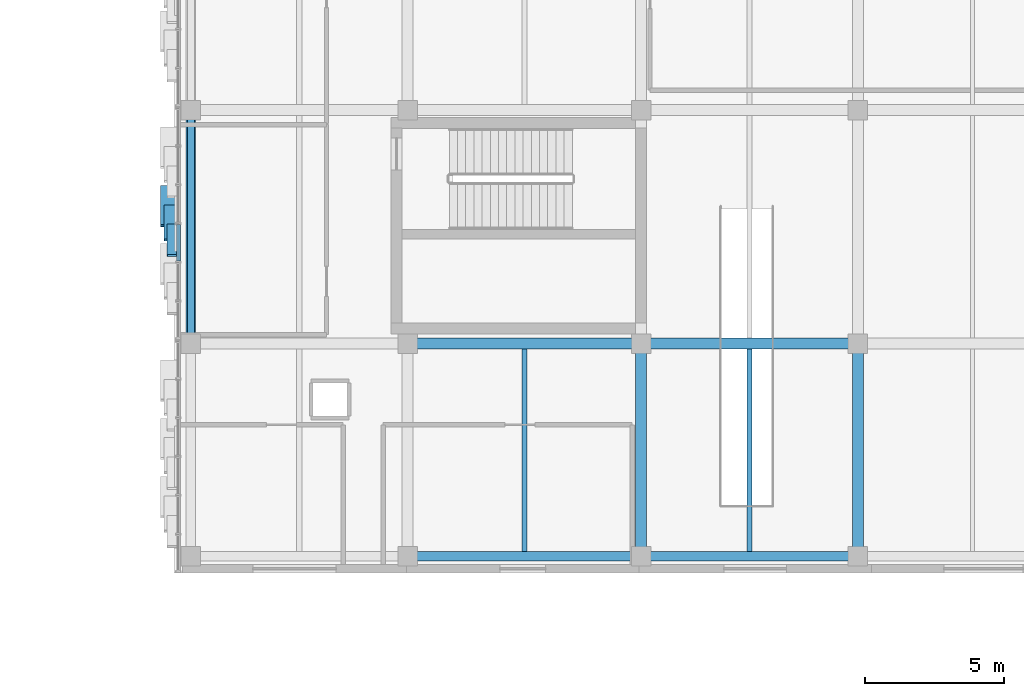
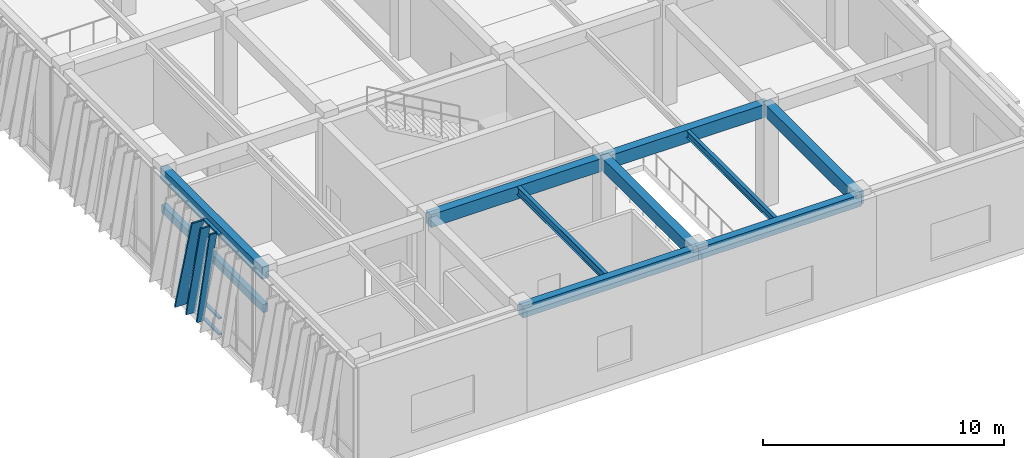
# One storey, part 32 of 139: 10 beams, 6 members, 1 element without a shape of its own.
"""IFC4 building model written with IfcOpenShell, lengths in metres."""

from ifc_helpers import new_model, si_unit, direction, frame, origin, origin_2d, place, context, subcontext, project, spatial, rectangle, hollow_rectangle, i_section, extrude, material, layer, layer_set, material_profile, profile_set, type_object, element, aggregate, save


model = new_model("IFC4")

# Units and contexts
model_context = context("Model", 3, precision=1e-05, world=origin(), true_north=direction((0.0, 1.0)))
body_context = subcontext(model_context, "Body", "Model", "MODEL_VIEW")
ifc_project = project(units=[si_unit("LENGTHUNIT", "METRE"), si_unit("AREAUNIT", "SQUARE_METRE"), si_unit("VOLUMEUNIT", "CUBIC_METRE"), si_unit("PLANEANGLEUNIT", "RADIAN"), si_unit("MASSUNIT", "GRAM", prefix="KILO")], contexts=[model_context])

# Site, building, storey
site_placement = place(None, origin())
site = spatial("IfcSite", under=ifc_project, at=site_placement, CompositionType="ELEMENT")
building_placement = place(site_placement, origin())
building = spatial("IfcBuilding", under=site, at=building_placement, Name="Zayran Congress Hotel", CompositionType="ELEMENT")
storey_placement = place(building_placement, frame((0.0, 0.0, 5.39990234375)))
storey = spatial("IfcBuildingStorey", under=building, at=storey_placement, Name="L01", CompositionType="ELEMENT", Elevation=5.39990234375)

# Beams
ifc_material_1 = material(Name="Concrete C40/50", Category="concrete")
ifc_material_profile_1 = material_profile(ifc_material_1, rectangle(XDim=0.39990234375, YDim=0.64990234375, at=origin_2d()), Name="RC 400x650")
ifc_profile_set_1 = profile_set([ifc_material_profile_1], Name="Concrete C40/50")
beam_type_1 = type_object("IfcBeamType", Name="TP-BM-03", PredefinedType="BEAM", material=ifc_profile_set_1)
beam_1_placement = place(storey_placement, frame((117.60009765625, 50.800048828125, 4.775146484375), z_axis=(1.0, 0.0, 0.0), x_axis=(0.0, 1.0, 0.0)))
element("IfcBeam", 1, at=beam_1_placement, inside=storey, type_object=beam_type_1, Name="BM-V4-L01-1313", PredefinedType="BEAM", context=body_context, shape_type="SweptSolid", body=[
    extrude(rectangle(XDim=0.39990234375, YDim=0.64990234375, at=origin_2d()), origin(), (0.0, 0.0, 1.0), 8.39990234375),
])
beam_2_placement = place(storey_placement, frame((126.0, 50.800048828125, 4.775146484375), z_axis=(1.0, 0.0, 0.0), x_axis=(0.0, 1.0, 0.0)))
element("IfcBeam", 2, at=beam_2_placement, inside=storey, type_object=beam_type_1, Name="BM-V4-L01-1314", PredefinedType="BEAM", context=body_context, shape_type="SweptSolid", body=[
    extrude(rectangle(XDim=0.39990234375, YDim=0.64990234375, at=origin_2d()), origin(), (0.0, 0.0, 1.0), 7.800048828125),
])
for number, where, z_axis, x_axis, name in (
    (3, (126.0, 43.14990234375, 4.775146484375), (0.0, 1.0, 0.0), (-1.0, 0.0, 0.0), "BM-V4-L01-1358"),
    (4, (133.800048828125, 43.14990234375, 4.775146484375), (0.0, 1.0, 0.0), (-1.0, 0.0, 0.0), "BM-V4-L01-1366"),
):
    element("IfcBeam", number, at=place(storey_placement, frame(where, z_axis=z_axis, x_axis=x_axis)), inside=storey, type_object=beam_type_1, Name=name, PredefinedType="BEAM", context=body_context, shape_type="SweptSolid", body=[
        extrude(rectangle(XDim=0.39990234375, YDim=0.64990234375, at=origin_2d()), origin(), (0.0, 0.0, 1.0), 7.650146484375),
    ])
ifc_material_profile_2 = material_profile(ifc_material_1, rectangle(XDim=0.35009765625, YDim=0.60009765625, at=origin_2d()), Name="RC 350x600")
ifc_profile_set_2 = profile_set([ifc_material_profile_2], Name="Concrete C40/50")
beam_type_2 = type_object("IfcBeamType", Name="TP-SP-01", PredefinedType="SPANDREL", material=ifc_profile_set_2)
beam_3_placement = place(storey_placement, frame((117.60009765625, 43.14990234375, 4.800048828125), z_axis=(1.0, 0.0, 0.0), x_axis=(0.0, 1.0, 0.0)))
element("IfcBeam", 5, at=beam_3_placement, inside=storey, type_object=beam_type_2, Name="BM-V4-L01-1309", PredefinedType="SPANDREL", context=body_context, shape_type="SweptSolid", body=[
    extrude(rectangle(XDim=0.35009765625, YDim=0.60009765625, at=origin_2d()), origin(), (0.0, 0.0, 1.0), 8.39990234375),
])
beam_4_placement = place(storey_placement, frame((126.0, 43.14990234375, 4.800048828125), z_axis=(1.0, 0.0, 0.0), x_axis=(0.0, 1.0, 0.0)))
element("IfcBeam", 6, at=beam_4_placement, inside=storey, type_object=beam_type_2, Name="BM-V4-L01-1310", PredefinedType="SPANDREL", context=body_context, shape_type="SweptSolid", body=[
    extrude(rectangle(XDim=0.35009765625, YDim=0.60009765625, at=origin_2d()), origin(), (0.0, 0.0, 1.0), 7.800048828125),
])
beam_5_placement = place(storey_placement, frame((109.800048828125, 50.800048828125, 4.800048828125), z_axis=(0.0, 1.0, 0.0), x_axis=(-1.0, 0.0, 0.0)))
element("IfcBeam", 7, at=beam_5_placement, inside=storey, type_object=beam_type_2, Name="BM-V4-L01-1345", PredefinedType="SPANDREL", context=body_context, shape_type="SweptSolid", body=[
    extrude(rectangle(XDim=0.35009765625, YDim=0.60009765625, at=origin_2d()), origin(), (0.0, 0.0, 1.0), 8.39990234375),
])
ifc_material_profile_3 = material_profile(ifc_material_1, rectangle(XDim=0.25, YDim=0.39990234375, at=origin_2d()), Name="RC 250x400")
ifc_profile_set_3 = profile_set([ifc_material_profile_3], Name="Concrete C40/50")
beam_type_3 = type_object("IfcBeamType", Name="TP-LN-01", PredefinedType="LINTEL", material=ifc_profile_set_3)
beam_6_placement = place(storey_placement, frame((109.800048828125, 50.800048828125, 3.0), z_axis=(0.0, 1.0, 0.0), x_axis=(-1.0, 0.0, 0.0)))
element("IfcBeam", 8, at=beam_6_placement, inside=storey, type_object=beam_type_3, Name="BM-LIN-07", PredefinedType="LINTEL", context=body_context, shape_type="SweptSolid", body=[
    extrude(rectangle(XDim=0.25, YDim=0.39990234375, at=origin_2d()), origin(), (0.0, 0.0, 1.0), 8.39990234375),
])
ifc_material_2 = material(Name="Steel S355", Category="steel")
ifc_material_profile_4 = material_profile(ifc_material_2, i_section(OverallWidth=0.179931640625, OverallDepth=0.39990234375, WebThickness=0.008544921875, FlangeThickness=0.013427734375, at=origin_2d()), Name="IPE 400")
ifc_profile_set_4 = profile_set([ifc_material_profile_4], Name="Steel S355")
beam_type_4 = type_object("IfcBeamType", Name="TP-JS-03", PredefinedType="JOIST", material=ifc_profile_set_4)
beam_7_placement = place(storey_placement, frame((121.800048828125, 43.324951171875, 4.900146484375), z_axis=(0.0, 1.0, 0.0), x_axis=(-1.0, 0.0, 0.0)))
element("IfcBeam", 9, at=beam_7_placement, inside=storey, type_object=beam_type_4, Name="JST-V4-L01-1390", PredefinedType="JOIST", context=body_context, shape_type="SweptSolid", body=[
    extrude(i_section(OverallWidth=0.179931640625, OverallDepth=0.39990234375, WebThickness=0.008544921875, FlangeThickness=0.013427734375, at=origin_2d()), origin(), (0.0, 0.0, 1.0), 7.275146484375),
])
ifc_material_profile_5 = material_profile(ifc_material_2, i_section(OverallWidth=0.169921875, OverallDepth=0.360107421875, WebThickness=0.008056640625, FlangeThickness=0.0126953125, at=origin_2d()), Name="IPE 360")
ifc_profile_set_5 = profile_set([ifc_material_profile_5], Name="Steel S355")
beam_type_5 = type_object("IfcBeamType", Name="TP-JS-04", PredefinedType="JOIST", material=ifc_profile_set_5)
beam_8_placement = place(storey_placement, frame((129.89990234375, 43.324951171875, 4.920166015625), z_axis=(0.0, 1.0, 0.0), x_axis=(-1.0, 0.0, 0.0)))
element("IfcBeam", 10, at=beam_8_placement, inside=storey, type_object=beam_type_5, Name="JST-V4-L01-1396", PredefinedType="JOIST", context=body_context, shape_type="SweptSolid", body=[
    extrude(i_section(OverallWidth=0.169921875, OverallDepth=0.360107421875, WebThickness=0.008056640625, FlangeThickness=0.0126953125, at=origin_2d()), origin(), (0.0, 0.0, 1.0), 7.275146484375),
])

# Curtain wall, members
ifc_material_3 = material(Name="Anodised aluminium and low-E insulated glass", Category="aluminium")
ifc_layer = layer(ifc_material_3, 0.179931640625)
ifc_layer_set = layer_set([ifc_layer], Name="Anodised aluminium and low-E insulated glass")
curtain_wall_type = type_object("IfcCurtainWallType", Name="CW-V4W-L01-CW-52-8371-5100", PredefinedType="USERDEFINED", material=ifc_layer_set)
curtain_wall_placement = place(storey_placement, origin())
curtain_wall = element("IfcCurtainWall", 11, at=curtain_wall_placement, inside=storey, type_object=curtain_wall_type, Name="CW-V4W-L01-1", ObjectType="CURTAIN WALL", PredefinedType="USERDEFINED")
ifc_material_4 = material(Name="Anodised aluminium framing", Category="aluminium")
ifc_material_profile_6 = material_profile(ifc_material_4, hollow_rectangle(XDim=0.06005859375, YDim=0.14990234375, WallThickness=0.00390625, at=origin_2d()), Name="RHS 150x60x4")
ifc_profile_set_6 = profile_set([ifc_material_profile_6], Name="Anodised aluminium framing")
member_type_1 = type_object("IfcMemberType", Name="TP-CWT-01", PredefinedType="USERDEFINED", material=ifc_profile_set_6)
member_1_placement = place(storey_placement, frame((109.35009765625, 55.08154296875, 0.030029296875), z_axis=(0.0, -1.0, 0.0), x_axis=(0.0, 0.0, 1.0)))
member_1 = element("IfcMember", 12, at=member_1_placement, type_object=member_type_1, Name="CW-V4W-L01-1-T03-0", ObjectType="TRANSOM", PredefinedType="USERDEFINED", context=body_context, shape_type="SweptSolid", body=[
    extrude(hollow_rectangle(XDim=0.06005859375, YDim=0.14990234375, WallThickness=0.00390625, at=origin_2d()), origin(), (0.0, 0.0, 1.0), 1.315185546875),
])
member_2_placement = place(storey_placement, frame((109.35009765625, 55.08154296875, 0.840087890625), z_axis=(0.0, -1.0, 0.0), x_axis=(0.0, 0.0, 1.0)))
member_2 = element("IfcMember", 13, at=member_2_placement, type_object=member_type_1, Name="CW-V4W-L01-1-T03-1", ObjectType="TRANSOM", PredefinedType="USERDEFINED", context=body_context, shape_type="SweptSolid", body=[
    extrude(hollow_rectangle(XDim=0.06005859375, YDim=0.14990234375, WallThickness=0.00390625, at=origin_2d()), origin(), (0.0, 0.0, 1.0), 1.315185546875),
])
member_3_placement = place(storey_placement, frame((109.35009765625, 55.08154296875, 5.070068359375), z_axis=(0.0, -1.0, 0.0), x_axis=(0.0, 0.0, 1.0)))
member_3 = element("IfcMember", 14, at=member_3_placement, type_object=member_type_1, Name="CW-V4W-L01-1-T03-2", ObjectType="TRANSOM", PredefinedType="USERDEFINED", context=body_context, shape_type="SweptSolid", body=[
    extrude(hollow_rectangle(XDim=0.06005859375, YDim=0.14990234375, WallThickness=0.00390625, at=origin_2d()), origin(), (0.0, 0.0, 1.0), 1.315185546875),
])
ifc_material_5 = material(Name="Warm bronze anodised aluminium", Category="aluminium")
ifc_material_profile_7 = material_profile(ifc_material_5, hollow_rectangle(XDim=0.080078125, YDim=0.580078125, WallThickness=0.006103515625, at=origin_2d()), Name="RHS 580x80x6")
ifc_profile_set_7 = profile_set([ifc_material_profile_7], Name="Warm bronze anodised aluminium")
member_type_2 = type_object("IfcMemberType", Name="TP-RFN-01", PredefinedType="MULLION", material=ifc_profile_set_7)
member_4_placement = place(storey_placement, frame((109.0, 56.45703125, 0.0), z_axis=(0.0, -0.267267943227, 0.963622253024), x_axis=(0.0, 0.963622253024, 0.267267943227)))
member_4 = element("IfcMember", 15, at=member_4_placement, type_object=member_type_2, Name="Slanting Reed Mullion CW-52-04", PredefinedType="MULLION", context=body_context, shape_type="SweptSolid", body=[
    extrude(hollow_rectangle(XDim=0.080078125, YDim=0.580078125, WallThickness=0.006103515625, at=origin_2d()), origin(), (0.0, 0.0, 1.0), 5.292724609375),
])
ifc_material_profile_8 = material_profile(ifc_material_5, hollow_rectangle(XDim=0.080078125, YDim=0.449951171875, WallThickness=0.006103515625, at=origin_2d()), Name="RHS 450x80x6")
ifc_profile_set_8 = profile_set([ifc_material_profile_8], Name="Warm bronze anodised aluminium")
member_type_3 = type_object("IfcMemberType", Name="TP-RFN-02", PredefinedType="MULLION", material=ifc_profile_set_8)
member_5_placement = place(storey_placement, frame((109.06494140625, 55.757080078125, 0.0), z_axis=(0.0, -0.233434569046, 0.972372511939), x_axis=(0.0, 0.972372511939, 0.233434569046)))
member_5 = element("IfcMember", 16, at=member_5_placement, type_object=member_type_3, Name="Slanting Reed Mullion CW-52-05", PredefinedType="MULLION", context=body_context, shape_type="SweptSolid", body=[
    extrude(hollow_rectangle(XDim=0.080078125, YDim=0.449951171875, WallThickness=0.006103515625, at=origin_2d()), origin(), (0.0, 0.0, 1.0), 5.2451171875),
])
ifc_material_profile_9 = material_profile(ifc_material_5, hollow_rectangle(XDim=0.080078125, YDim=0.340087890625, WallThickness=0.006103515625, at=origin_2d()), Name="RHS 340x80x6")
ifc_profile_set_9 = profile_set([ifc_material_profile_9], Name="Warm bronze anodised aluminium")
member_type_4 = type_object("IfcMemberType", Name="TP-RFN-03", PredefinedType="MULLION", material=ifc_profile_set_9)
member_6_placement = place(storey_placement, frame((109.1201171875, 55.056884765625, 0.0), z_axis=(0.0, -0.207897956377, 0.978150519979), x_axis=(0.0, 0.978150519979, 0.207897956377)))
member_6 = element("IfcMember", 17, at=member_6_placement, type_object=member_type_4, Name="Slanting Reed Mullion CW-52-06", PredefinedType="MULLION", context=body_context, shape_type="SweptSolid", body=[
    extrude(hollow_rectangle(XDim=0.080078125, YDim=0.340087890625, WallThickness=0.006103515625, at=origin_2d()), origin(), (0.0, 0.0, 1.0), 5.214111328125),
])
aggregate(curtain_wall, [member_1, member_2, member_3, member_4, member_5, member_6])

save(model, "model.ifc")
